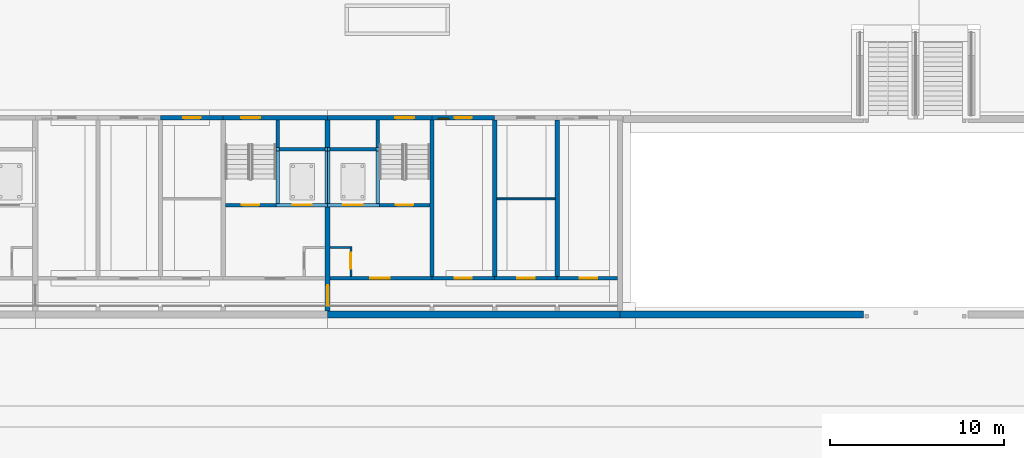
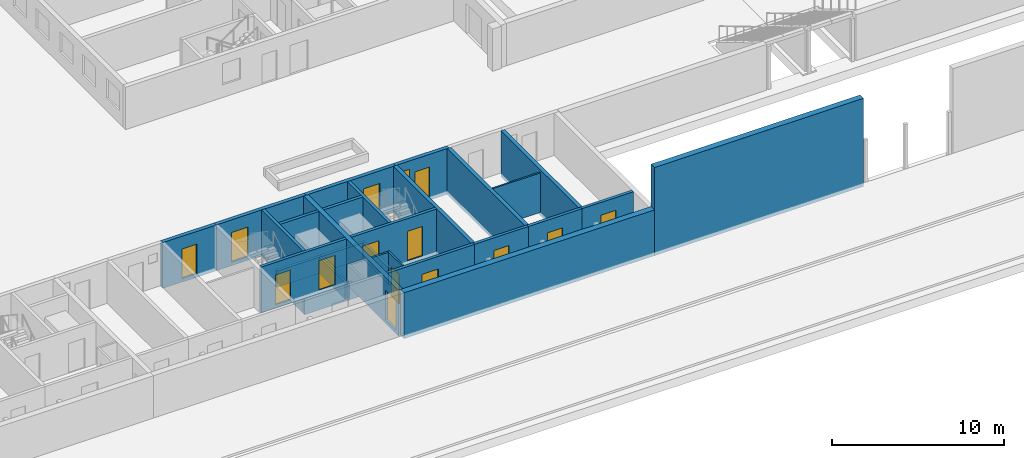
# One storey, part 43 of 112: 31 walls, 14 doors, 1 window, 15 openings.
"""IFC4 building model written with IfcOpenShell, lengths in metres."""

from ifc_helpers import new_model, si_unit, direction, frame, frame_2d, origin, place, context, subcontext, project, spatial, rectangle, extrude, material, layer, layer_set, type_object, element, fill, save


model = new_model("IFC4")

# Units and contexts
model_context = context("Model", 3, precision=1e-05, world=origin(), true_north=direction((0.0, 1.0)))
body_context = subcontext(model_context, "Body", "Model", "MODEL_VIEW")
ifc_project = project(units=[si_unit("LENGTHUNIT", "METRE"), si_unit("AREAUNIT", "SQUARE_METRE"), si_unit("VOLUMEUNIT", "CUBIC_METRE"), si_unit("PLANEANGLEUNIT", "RADIAN"), si_unit("MASSUNIT", "GRAM", prefix="KILO")], contexts=[model_context])

# Site, building, storey
site_placement = place(None, origin())
site = spatial("IfcSite", under=ifc_project, at=site_placement, CompositionType="ELEMENT")
building_placement = place(site_placement, origin())
building = spatial("IfcBuilding", under=site, at=building_placement, Name="Ridgestep Commons", CompositionType="ELEMENT")
storey_placement = place(building_placement, origin())
storey = spatial("IfcBuildingStorey", under=building, at=storey_placement, Name="L00", CompositionType="ELEMENT", Elevation=0.0)

# Walls
ifc_material_1 = material(Name="Concrete C30/37", Category="concrete")
ifc_layer_1 = layer(ifc_material_1, 0.39990234375)
ifc_layer_set_1 = layer_set([ifc_layer_1], Name="Community retaining wall 400")
wall_type_1 = type_object("IfcWallType", Name="Community retaining wall 400", PredefinedType="SOLIDWALL", material=ifc_layer_set_1)
wall_1_placement = place(storey_placement, frame((112.800048828125, 11.550048828125, -0.25), z_axis=(0.0, 0.0, 1.0), x_axis=(1.0, 0.0, 0.0)))
element("IfcWall", 1, at=wall_1_placement, inside=storey, type_object=wall_type_1, Name="Community retaining wall 400", PredefinedType="SOLIDWALL", context=body_context, shape_type="SweptSolid", body=[
    extrude(rectangle(XDim=14.0, YDim=0.39990234375, at=frame_2d((7.0, 0.0))), origin(), (0.0, 0.0, 1.0), 6.25),
])
ifc_material_2 = material(Name="Concrete C30/37", Category="concrete")
ifc_layer_2 = layer(ifc_material_2, 0.25)
ifc_layer_set_2 = layer_set([ifc_layer_2], Name="Core cross wall 250")
wall_type_2 = type_object("IfcWallType", Name="Core cross wall 250", PredefinedType="SHEAR", material=ifc_layer_set_2)
wall_2_placement = place(storey_placement, frame((102.0, 13.75, -0.25), z_axis=(0.0, 0.0, 1.0), x_axis=(0.0, 1.0, 0.0)))
element("IfcWall", 2, at=wall_2_placement, inside=storey, type_object=wall_type_2, Name="Cross wall A-00-1020", PredefinedType="SHEAR", context=body_context, shape_type="SweptSolid", body=[
    extrude(rectangle(XDim=9.0, YDim=0.25, at=frame_2d((4.5, 0.0))), origin(), (0.0, 0.0, 1.0), 3.25),
])

# Wall, opening, door
ifc_material_3 = material(Name="Concrete C30/37", Category="concrete")
ifc_layer_3 = layer(ifc_material_3, 0.199951171875)
ifc_layer_set_3 = layer_set([ifc_layer_3], Name="Core south wall 200")
wall_type_3 = type_object("IfcWallType", Name="Core south wall 200", PredefinedType="SHEAR", material=ifc_layer_set_3)
wall_3_placement = place(storey_placement, frame((96.14990234375, 13.64990234375, -0.25), z_axis=(0.0, 0.0, 1.0), x_axis=(1.0, 0.0, 0.0)))
wall_3 = element("IfcWall", 3, at=wall_3_placement, inside=storey, type_object=wall_type_3, Name="Core south wall A6C L00", PredefinedType="SHEAR", context=body_context, shape_type="SweptSolid", body=[
    extrude(rectangle(XDim=5.85009765625, YDim=0.199951171875, at=frame_2d((2.925048828125, 0.0))), origin(), (0.0, 0.0, 1.0), 3.25),
])
opening_1_placement = place(wall_3_placement, frame((2.3125, 0.0, 0.25)))
opening_1 = element("IfcOpeningElement", 4, at=opening_1_placement, cuts=wall_3, Name="Opening A6C/00/1", PredefinedType="OPENING", context=body_context, shape_type="SweptSolid", body=[
    extrude(rectangle(XDim=1.10009765625, YDim=2.10009765625, at=frame_2d((0.550048828125, 1.050048828125))), frame((0.0, 0.10986328125, 0.0), z_axis=(0.0, -1.0, 0.0), x_axis=(1.0, 0.0, 0.0)), (0.0, 0.0, 1.0), 0.219970703125),
])
ifc_material_4 = material(Name="Steel fire door", Category="steel")
door_type_1 = type_object("IfcDoorType", Name="Lobby door 1100 x 2100 FD60", OperationType="NOTDEFINED", PredefinedType="DOOR", material=ifc_material_4)
door_1_placement = place(opening_1_placement, origin())
door_1 = element("IfcDoor", 5, at=door_1_placement, inside=storey, type_object=door_type_1, Name="Lobby door A6C/00/1", OperationType="SINGLE_SWING_LEFT", OverallHeight=2.10009765625, OverallWidth=1.10009765625, PredefinedType="DOOR", context=body_context, shape_type="SweptSolid", body=[
    extrude(rectangle(XDim=1.10009765625, YDim=2.10009765625, at=frame_2d((0.550048828125, 1.050048828125))), frame((0.0, 0.02490234375, 0.0), z_axis=(0.0, -1.0, 0.0), x_axis=(1.0, 0.0, 0.0)), (0.0, 0.0, 1.0), 0.050048828125),
])
fill(opening_1, door_1)

ifc_material_5 = material(Name="Concrete C30/37", Category="concrete")
ifc_layer_4 = layer(ifc_material_5, 0.1201171875)
ifc_layer_set_4 = layer_set([ifc_layer_4], Name="Core wall 120")
wall_type_4 = type_object("IfcWallType", Name="Core wall 120", PredefinedType="SHEAR", material=ifc_layer_set_4)
wall_4_placement = place(storey_placement, frame((97.340087890625, 13.75, -0.25), z_axis=(0.0, 0.0, 1.0), x_axis=(0.0, 1.0, 0.0)))
wall_4 = element("IfcWall", 6, at=wall_4_placement, inside=storey, type_object=wall_type_4, Name="Core riser w wall A6C L00", PredefinedType="SHEAR", context=body_context, shape_type="SweptSolid", body=[
    extrude(rectangle(XDim=1.719970703125, YDim=0.1201171875, at=frame_2d((0.85986328125, 0.0))), origin(), (0.0, 0.0, 1.0), 3.25),
])
opening_2_placement = place(wall_4_placement, frame((0.449951171875, 0.0, 0.25)))
opening_2 = element("IfcOpeningElement", 7, at=opening_2_placement, cuts=wall_4, Name="Opening A6C/00/4", PredefinedType="OPENING", context=body_context, shape_type="SweptSolid", body=[
    extrude(rectangle(XDim=0.89990234375, YDim=2.10009765625, at=frame_2d((0.449951171875, 1.050048828125))), frame((0.0, 0.070068359375, 0.0), z_axis=(0.0, -1.0, 0.0), x_axis=(1.0, 0.0, 0.0)), (0.0, 0.0, 1.0), 0.14013671875),
])
ifc_material_6 = material(Name="Steel fire door", Category="steel")
door_type_2 = type_object("IfcDoorType", Name="Riser door 900 x 2100 FD60", OperationType="NOTDEFINED", PredefinedType="DOOR", material=ifc_material_6)
door_2_placement = place(opening_2_placement, origin())
door_2 = element("IfcDoor", 8, at=door_2_placement, inside=storey, type_object=door_type_2, Name="Riser door A6C/00/4", OperationType="SINGLE_SWING_RIGHT", OverallHeight=2.10009765625, OverallWidth=0.89990234375, PredefinedType="DOOR", context=body_context, shape_type="SweptSolid", body=[
    extrude(rectangle(XDim=0.89990234375, YDim=2.10009765625, at=frame_2d((0.449951171875, 1.050048828125))), frame((0.0, 0.02490234375, 0.0), z_axis=(0.0, -1.0, 0.0), x_axis=(1.0, 0.0, 0.0)), (0.0, 0.0, 1.0), 0.050048828125),
])
fill(opening_2, door_2)

# Walls
wall_5_placement = place(storey_placement, frame((96.14990234375, 15.409912109375, -0.25), z_axis=(0.0, 0.0, 1.0), x_axis=(1.0, 0.0, 0.0)))
element("IfcWall", 9, at=wall_5_placement, inside=storey, type_object=wall_type_4, Name="Core riser n wall A6C L00", PredefinedType="SHEAR", context=body_context, shape_type="SweptSolid", body=[
    extrude(rectangle(XDim=1.130126953125, YDim=0.1201171875, at=frame_2d((0.56494140625, 0.0))), origin(), (0.0, 0.0, 1.0), 3.25),
])
ifc_material_7 = material(Name="Concrete C30/37", Category="concrete")
ifc_layer_5 = layer(ifc_material_7, 0.14990234375)
ifc_layer_set_5 = layer_set([ifc_layer_5], Name="Core wall 150")
wall_type_5 = type_object("IfcWallType", Name="Core wall 150", PredefinedType="SHEAR", material=ifc_layer_set_5)
for number, where, z_axis, x_axis, name in (
    (10, (95.925048828125, 17.949951171875, -1.39990234375), (0.0, 0.0, 1.0), (0.0, 1.0, 0.0), "Lift pit wall A5C"),
    (11, (96.074951171875, 17.949951171875, -1.39990234375), (0.0, 0.0, 1.0), (0.0, 1.0, 0.0), "Lift pit wall A6C"),
):
    element("IfcWall", number, at=place(storey_placement, frame(where, z_axis=z_axis, x_axis=x_axis)), inside=storey, type_object=wall_type_5, Name=name, PredefinedType="SHEAR", context=body_context, shape_type="SweptSolid", body=[
        extrude(rectangle(XDim=3.0, YDim=0.14990234375, at=frame_2d((1.5, 0.0))), origin(), (0.0, 0.0, 1.0), 1.14990234375),
    ])

# Wall, openings, doors
ifc_material_8 = material(Name="Concrete C30/37", Category="concrete")
ifc_layer_6 = layer(ifc_material_8, 0.199951171875)
ifc_layer_set_6 = layer_set([ifc_layer_6], Name="Core wall 200")
wall_type_6 = type_object("IfcWallType", Name="Core wall 200", PredefinedType="SHEAR", material=ifc_layer_set_6)
wall_6_placement = place(storey_placement, frame((90.125, 17.85009765625, -0.25), z_axis=(0.0, 0.0, 1.0), x_axis=(1.0, 0.0, 0.0)))
wall_6 = element("IfcWall", 12, at=wall_6_placement, inside=storey, type_object=wall_type_6, Name="Core lobby wall A5C L00", PredefinedType="SHEAR", context=body_context, shape_type="SweptSolid", body=[
    extrude(rectangle(XDim=5.72509765625, YDim=0.199951171875, at=frame_2d((2.862548828125, 0.0))), origin(), (0.0, 0.0, 1.0), 3.25),
])
opening_3_placement = place(wall_6_placement, frame((0.949951171875, 0.0, 0.25)))
opening_3 = element("IfcOpeningElement", 13, at=opening_3_placement, cuts=wall_6, Name="Opening A5C/00/2", PredefinedType="OPENING", context=body_context, shape_type="SweptSolid", body=[
    extrude(rectangle(XDim=1.0, YDim=2.10009765625, at=frame_2d((0.5, 1.050048828125))), frame((0.0, 0.10986328125, 0.0), z_axis=(0.0, -1.0, 0.0), x_axis=(1.0, 0.0, 0.0)), (0.0, 0.0, 1.0), 0.219970703125),
])
opening_4_placement = place(wall_6_placement, frame((3.862548828125, 0.0, 0.25)))
opening_4 = element("IfcOpeningElement", 14, at=opening_4_placement, cuts=wall_6, Name="Opening A5C/00/3", PredefinedType="OPENING", context=body_context, shape_type="SweptSolid", body=[
    extrude(rectangle(XDim=1.10009765625, YDim=2.10009765625, at=frame_2d((0.550048828125, 1.050048828125))), frame((0.0, 0.10986328125, 0.0), z_axis=(0.0, -1.0, 0.0), x_axis=(1.0, 0.0, 0.0)), (0.0, 0.0, 1.0), 0.219970703125),
])
ifc_material_9 = material(Name="Stainless steel", Category="steel")
door_type_3 = type_object("IfcDoorType", Name="Lift landing door 1100 x 2100 FD60", OperationType="DOUBLE_DOOR_SLIDING", PredefinedType="DOOR", material=ifc_material_9)
door_3_placement = place(opening_4_placement, origin())
door_3 = element("IfcDoor", 15, at=door_3_placement, inside=storey, type_object=door_type_3, Name="Landing door LD A5C L00", OperationType="DOUBLE_DOOR_SLIDING", OverallHeight=2.10009765625, OverallWidth=1.10009765625, PredefinedType="DOOR", context=body_context, shape_type="SweptSolid", body=[
    extrude(rectangle(XDim=1.10009765625, YDim=2.10009765625, at=frame_2d((0.550048828125, 1.050048828125))), frame((0.0, 0.02490234375, 0.0), z_axis=(0.0, -1.0, 0.0), x_axis=(1.0, 0.0, 0.0)), (0.0, 0.0, 1.0), 0.050048828125),
])
fill(opening_4, door_3)
ifc_material_10 = material(Name="Steel fire door", Category="steel")
door_type_4 = type_object("IfcDoorType", Name="Stair door 1000 x 2100 FD60", OperationType="NOTDEFINED", PredefinedType="DOOR", material=ifc_material_10)
door_4_placement = place(opening_3_placement, origin())
door_4 = element("IfcDoor", 16, at=door_4_placement, inside=storey, type_object=door_type_4, Name="Stair door A5C/00/2", OperationType="SINGLE_SWING_RIGHT", OverallHeight=2.10009765625, OverallWidth=1.0, PredefinedType="DOOR", context=body_context, shape_type="SweptSolid", body=[
    extrude(rectangle(XDim=1.0, YDim=2.10009765625, at=frame_2d((0.5, 1.050048828125))), frame((0.0, 0.02490234375, 0.0), z_axis=(0.0, -1.0, 0.0), x_axis=(1.0, 0.0, 0.0)), (0.0, 0.0, 1.0), 0.050048828125),
])
fill(opening_3, door_4)

# Walls
wall_7_placement = place(storey_placement, frame((93.125, 17.949951171875, -0.25), z_axis=(0.0, 0.0, 1.0), x_axis=(0.0, 1.0, 0.0)))
element("IfcWall", 17, at=wall_7_placement, inside=storey, type_object=wall_type_6, Name="Core stair wall A5C L00", PredefinedType="SHEAR", context=body_context, shape_type="SweptSolid", body=[
    extrude(rectangle(XDim=4.800048828125, YDim=0.199951171875, at=frame_2d((2.39990234375, 0.0))), origin(), (0.0, 0.0, 1.0), 3.25),
])
wall_8_placement = place(storey_placement, frame((93.22509765625, 21.050048828125, -0.25), z_axis=(0.0, 0.0, 1.0), x_axis=(1.0, 0.0, 0.0)))
element("IfcWall", 18, at=wall_8_placement, inside=storey, type_object=wall_type_6, Name="Core duct wall A5C L00", PredefinedType="SHEAR", context=body_context, shape_type="SweptSolid", body=[
    extrude(rectangle(XDim=2.625, YDim=0.199951171875, at=frame_2d((1.3125, 0.0))), origin(), (0.0, 0.0, 1.0), 3.25),
])

# Wall, openings, doors
wall_9_placement = place(storey_placement, frame((96.14990234375, 17.85009765625, -0.25), z_axis=(0.0, 0.0, 1.0), x_axis=(1.0, 0.0, 0.0)))
wall_9 = element("IfcWall", 19, at=wall_9_placement, inside=storey, type_object=wall_type_6, Name="Core lobby wall A6C L00", PredefinedType="SHEAR", context=body_context, shape_type="SweptSolid", body=[
    extrude(rectangle(XDim=5.72509765625, YDim=0.199951171875, at=frame_2d((2.862548828125, 0.0))), origin(), (0.0, 0.0, 1.0), 3.25),
])
opening_5_placement = place(wall_9_placement, frame((3.77490234375, 0.0, 0.25)))
opening_5 = element("IfcOpeningElement", 20, at=opening_5_placement, cuts=wall_9, Name="Opening A6C/00/2", PredefinedType="OPENING", context=body_context, shape_type="SweptSolid", body=[
    extrude(rectangle(XDim=1.0, YDim=2.10009765625, at=frame_2d((0.5, 1.050048828125))), frame((0.0, 0.10986328125, 0.0), z_axis=(0.0, -1.0, 0.0), x_axis=(1.0, 0.0, 0.0)), (0.0, 0.0, 1.0), 0.219970703125),
])
opening_6_placement = place(wall_9_placement, frame((0.762451171875, 0.0, 0.25)))
opening_6 = element("IfcOpeningElement", 21, at=opening_6_placement, cuts=wall_9, Name="Opening A6C/00/3", PredefinedType="OPENING", context=body_context, shape_type="SweptSolid", body=[
    extrude(rectangle(XDim=1.10009765625, YDim=2.10009765625, at=frame_2d((0.550048828125, 1.050048828125))), frame((0.0, 0.10986328125, 0.0), z_axis=(0.0, -1.0, 0.0), x_axis=(1.0, 0.0, 0.0)), (0.0, 0.0, 1.0), 0.219970703125),
])
door_5_placement = place(opening_6_placement, origin())
door_5 = element("IfcDoor", 22, at=door_5_placement, inside=storey, type_object=door_type_3, Name="Landing door LD A6C L00", OperationType="DOUBLE_DOOR_SLIDING", OverallHeight=2.10009765625, OverallWidth=1.10009765625, PredefinedType="DOOR", context=body_context, shape_type="SweptSolid", body=[
    extrude(rectangle(XDim=1.10009765625, YDim=2.10009765625, at=frame_2d((0.550048828125, 1.050048828125))), frame((0.0, 0.02490234375, 0.0), z_axis=(0.0, -1.0, 0.0), x_axis=(1.0, 0.0, 0.0)), (0.0, 0.0, 1.0), 0.050048828125),
])
fill(opening_6, door_5)
door_6_placement = place(opening_5_placement, origin())
door_6 = element("IfcDoor", 23, at=door_6_placement, inside=storey, type_object=door_type_4, Name="Stair door A6C/00/2", OperationType="SINGLE_SWING_RIGHT", OverallHeight=2.10009765625, OverallWidth=1.0, PredefinedType="DOOR", context=body_context, shape_type="SweptSolid", body=[
    extrude(rectangle(XDim=1.0, YDim=2.10009765625, at=frame_2d((0.5, 1.050048828125))), frame((0.0, 0.02490234375, 0.0), z_axis=(0.0, -1.0, 0.0), x_axis=(1.0, 0.0, 0.0)), (0.0, 0.0, 1.0), 0.050048828125),
])
fill(opening_5, door_6)

# Walls
wall_10_placement = place(storey_placement, frame((98.875, 17.949951171875, -0.25), z_axis=(0.0, 0.0, 1.0), x_axis=(0.0, 1.0, 0.0)))
element("IfcWall", 24, at=wall_10_placement, inside=storey, type_object=wall_type_6, Name="Core stair wall A6C L00", PredefinedType="SHEAR", context=body_context, shape_type="SweptSolid", body=[
    extrude(rectangle(XDim=4.800048828125, YDim=0.199951171875, at=frame_2d((2.39990234375, 0.0))), origin(), (0.0, 0.0, 1.0), 3.25),
])
wall_11_placement = place(storey_placement, frame((96.14990234375, 21.050048828125, -0.25), z_axis=(0.0, 0.0, 1.0), x_axis=(1.0, 0.0, 0.0)))
element("IfcWall", 25, at=wall_11_placement, inside=storey, type_object=wall_type_6, Name="Core duct wall A6C L00", PredefinedType="SHEAR", context=body_context, shape_type="SweptSolid", body=[
    extrude(rectangle(XDim=2.625, YDim=0.199951171875, at=frame_2d((1.3125, 0.0))), origin(), (0.0, 0.0, 1.0), 3.25),
])
for number, where, z_axis, x_axis, name in (
    (26, (93.02490234375, 17.85009765625, -1.39990234375), (0.0, 0.0, 1.0), (1.0, 0.0, 0.0), "Lift pit wall A5C"),
    (27, (93.02490234375, 21.050048828125, -1.39990234375), (0.0, 0.0, 1.0), (1.0, 0.0, 0.0), "Lift pit wall A5C"),
):
    element("IfcWall", number, at=place(storey_placement, frame(where, z_axis=z_axis, x_axis=x_axis)), inside=storey, type_object=wall_type_6, Name=name, PredefinedType="SHEAR", context=body_context, shape_type="SweptSolid", body=[
        extrude(rectangle(XDim=2.97509765625, YDim=0.199951171875, at=frame_2d((1.487548828125, 0.0))), origin(), (0.0, 0.0, 1.0), 1.14990234375),
    ])
wall_12_placement = place(storey_placement, frame((93.125, 17.949951171875, -1.39990234375), z_axis=(0.0, 0.0, 1.0), x_axis=(0.0, 1.0, 0.0)))
element("IfcWall", 28, at=wall_12_placement, inside=storey, type_object=wall_type_6, Name="Lift pit wall A5C", PredefinedType="SHEAR", context=body_context, shape_type="SweptSolid", body=[
    extrude(rectangle(XDim=3.0, YDim=0.199951171875, at=frame_2d((1.5, 0.0))), origin(), (0.0, 0.0, 1.0), 1.14990234375),
])
for number, where, z_axis, x_axis, name in (
    (29, (96.0, 17.85009765625, -1.39990234375), (0.0, 0.0, 1.0), (1.0, 0.0, 0.0), "Lift pit wall A6C"),
    (30, (96.0, 21.050048828125, -1.39990234375), (0.0, 0.0, 1.0), (1.0, 0.0, 0.0), "Lift pit wall A6C"),
):
    element("IfcWall", number, at=place(storey_placement, frame(where, z_axis=z_axis, x_axis=x_axis)), inside=storey, type_object=wall_type_6, Name=name, PredefinedType="SHEAR", context=body_context, shape_type="SweptSolid", body=[
        extrude(rectangle(XDim=2.97509765625, YDim=0.199951171875, at=frame_2d((1.487548828125, 0.0))), origin(), (0.0, 0.0, 1.0), 1.14990234375),
    ])
wall_13_placement = place(storey_placement, frame((98.875, 17.949951171875, -1.39990234375), z_axis=(0.0, 0.0, 1.0), x_axis=(0.0, 1.0, 0.0)))
element("IfcWall", 31, at=wall_13_placement, inside=storey, type_object=wall_type_6, Name="Lift pit wall A6C", PredefinedType="SHEAR", context=body_context, shape_type="SweptSolid", body=[
    extrude(rectangle(XDim=3.0, YDim=0.199951171875, at=frame_2d((1.5, 0.0))), origin(), (0.0, 0.0, 1.0), 1.14990234375),
])
ifc_material_11 = material(Name="Precast concrete C40/50", Category="concrete")
ifc_layer_7 = layer(ifc_material_11, 0.25)
ifc_layer_set_7 = layer_set([ifc_layer_7], Name="Cross wall 250")
wall_type_7 = type_object("IfcWallType", Name="Cross wall 250", PredefinedType="SHEAR", material=ifc_layer_set_7)
for number, where, z_axis, x_axis, name in (
    (32, (105.60009765625, 13.75, -0.25), (0.0, 0.0, 1.0), (0.0, 1.0, 0.0), "Cross wall A-00-1056"),
    (33, (109.199951171875, 13.75, -0.25), (0.0, 0.0, 1.0), (0.0, 1.0, 0.0), "Cross wall A-00-1092"),
):
    element("IfcWall", number, at=place(storey_placement, frame(where, z_axis=z_axis, x_axis=x_axis)), inside=storey, type_object=wall_type_7, Name=name, PredefinedType="SHEAR", context=body_context, shape_type="SweptSolid", body=[
        extrude(rectangle(XDim=9.0, YDim=0.25, at=frame_2d((4.5, 0.0))), origin(), (0.0, 0.0, 1.0), 3.25),
    ])

# Wall, opening, door
ifc_material_12 = material(Name="Precast concrete C40/50", Category="concrete")
ifc_layer_8 = layer(ifc_material_12, 0.300048828125)
ifc_layer_set_8 = layer_set([ifc_layer_8], Name="Division wall 300")
wall_type_8 = type_object("IfcWallType", Name="Division wall 300", PredefinedType="SHEAR", material=ifc_layer_set_8)
wall_14_placement = place(storey_placement, frame((96.0, 11.75, -0.25), z_axis=(0.0, 0.0, 1.0), x_axis=(0.0, 1.0, 0.0)))
wall_14 = element("IfcWall", 34, at=wall_14_placement, inside=storey, type_object=wall_type_8, Name="Cross wall A-00-0960", PredefinedType="SHEAR", context=body_context, shape_type="SweptSolid", body=[
    extrude(rectangle(XDim=11.0, YDim=0.300048828125, at=frame_2d((5.5, 0.0))), origin(), (0.0, 0.0, 1.0), 3.25),
])
opening_7_placement = place(wall_14_placement, frame((0.300048828125, 0.0, 0.25)))
opening_7 = element("IfcOpeningElement", 35, at=opening_7_placement, cuts=wall_14, Name="Opening A/00/G0960", PredefinedType="OPENING", context=body_context, shape_type="SweptSolid", body=[
    extrude(rectangle(XDim=1.199951171875, YDim=2.10009765625, at=frame_2d((0.60009765625, 1.050048828125))), frame((0.0, 0.159912109375, 0.0), z_axis=(0.0, -1.0, 0.0), x_axis=(1.0, 0.0, 0.0)), (0.0, 0.0, 1.0), 0.320068359375),
])
ifc_material_13 = material(Name="Steel fire door", Category="steel")
door_type_5 = type_object("IfcDoorType", Name="Division fire door 1200 x 2100 EI 240", OperationType="DOUBLE_DOOR_SINGLE_SWING", PredefinedType="DOOR", material=ifc_material_13)
door_7_placement = place(opening_7_placement, origin())
door_7 = element("IfcDoor", 36, at=door_7_placement, inside=storey, type_object=door_type_5, Name="Division fire door A/00/G0960", OperationType="DOUBLE_DOOR_SINGLE_SWING", OverallHeight=2.10009765625, OverallWidth=1.199951171875, PredefinedType="DOOR", context=body_context, shape_type="SweptSolid", body=[
    extrude(rectangle(XDim=1.199951171875, YDim=2.10009765625, at=frame_2d((0.60009765625, 1.050048828125))), frame((0.0, 0.02490234375, 0.0), z_axis=(0.0, -1.0, 0.0), x_axis=(1.0, 0.0, 0.0)), (0.0, 0.0, 1.0), 0.050048828125),
])
fill(opening_7, door_7)

ifc_material_14 = material(Name="Precast concrete C40/50", Category="concrete")
ifc_layer_9 = layer(ifc_material_14, 0.25)
ifc_layer_set_9 = layer_set([ifc_layer_9], Name="North facade panel 250")
wall_type_9 = type_object("IfcWallType", Name="North facade panel 250", PredefinedType="SOLIDWALL", material=ifc_layer_set_9)
wall_15_placement = place(storey_placement, frame((86.39990234375, 22.875, -0.25), z_axis=(0.0, 0.0, 1.0), x_axis=(1.0, 0.0, 0.0)))
wall_15 = element("IfcWall", 37, at=wall_15_placement, inside=storey, type_object=wall_type_9, Name="North panel A5T3 L00", PredefinedType="SOLIDWALL", context=body_context, shape_type="SweptSolid", body=[
    extrude(rectangle(XDim=3.60009765625, YDim=0.25, at=frame_2d((1.800048828125, 0.0))), origin(), (0.0, 0.0, 1.0), 3.25),
])
opening_8_placement = place(wall_15_placement, frame((1.300048828125, 0.0, 0.25)))
opening_8 = element("IfcOpeningElement", 38, at=opening_8_placement, cuts=wall_15, Name="Opening A5-00p/6", PredefinedType="OPENING", context=body_context, shape_type="SweptSolid", body=[
    extrude(rectangle(XDim=1.0, YDim=2.10009765625, at=frame_2d((0.5, 1.050048828125))), frame((0.0, 0.135009765625, 0.0), z_axis=(0.0, -1.0, 0.0), x_axis=(1.0, 0.0, 0.0)), (0.0, 0.0, 1.0), 0.27001953125),
])
ifc_material_15 = material(Name="Steel door leaf", Category="steel")
door_type_6 = type_object("IfcDoorType", Name="Exterior door 1000 x 2100", OperationType="NOTDEFINED", PredefinedType="DOOR", material=ifc_material_15)
door_8_placement = place(opening_8_placement, origin())
door_8 = element("IfcDoor", 39, at=door_8_placement, inside=storey, type_object=door_type_6, Name="Exterior door A5-00p/6", OperationType="SINGLE_SWING_LEFT", OverallHeight=2.10009765625, OverallWidth=1.0, PredefinedType="DOOR", context=body_context, shape_type="SweptSolid", body=[
    extrude(rectangle(XDim=1.0, YDim=2.10009765625, at=frame_2d((0.5, 1.050048828125))), frame((0.0, 0.02490234375, 0.0), z_axis=(0.0, -1.0, 0.0), x_axis=(1.0, 0.0, 0.0)), (0.0, 0.0, 1.0), 0.050048828125),
])
fill(opening_8, door_8)

wall_16_placement = place(storey_placement, frame((90.0, 22.875, -0.25), z_axis=(0.0, 0.0, 1.0), x_axis=(1.0, 0.0, 0.0)))
wall_16 = element("IfcWall", 40, at=wall_16_placement, inside=storey, type_object=wall_type_9, Name="North panel A5C L00", PredefinedType="SOLIDWALL", context=body_context, shape_type="SweptSolid", body=[
    extrude(rectangle(XDim=6.0, YDim=0.25, at=frame_2d((3.0, 0.0))), origin(), (0.0, 0.0, 1.0), 3.25),
])
opening_9_placement = place(wall_16_placement, frame((1.02490234375, 0.0, 0.25)))
opening_9 = element("IfcOpeningElement", 41, at=opening_9_placement, cuts=wall_16, Name="Opening A5C/00/5", PredefinedType="OPENING", context=body_context, shape_type="SweptSolid", body=[
    extrude(rectangle(XDim=1.10009765625, YDim=2.10009765625, at=frame_2d((0.550048828125, 1.050048828125))), frame((0.0, 0.135009765625, 0.0), z_axis=(0.0, -1.0, 0.0), x_axis=(1.0, 0.0, 0.0)), (0.0, 0.0, 1.0), 0.27001953125),
])
ifc_material_16 = material(Name="Steel fire door", Category="steel")
door_type_7 = type_object("IfcDoorType", Name="Stair exit door 1100 x 2100 FD60", OperationType="NOTDEFINED", PredefinedType="DOOR", material=ifc_material_16)
door_9_placement = place(opening_9_placement, origin())
door_9 = element("IfcDoor", 42, at=door_9_placement, inside=storey, type_object=door_type_7, Name="Stair exit door A5C/00/5", OperationType="SINGLE_SWING_LEFT", OverallHeight=2.10009765625, OverallWidth=1.10009765625, PredefinedType="DOOR", context=body_context, shape_type="SweptSolid", body=[
    extrude(rectangle(XDim=1.10009765625, YDim=2.10009765625, at=frame_2d((0.550048828125, 1.050048828125))), frame((0.0, 0.02490234375, 0.0), z_axis=(0.0, -1.0, 0.0), x_axis=(1.0, 0.0, 0.0)), (0.0, 0.0, 1.0), 0.050048828125),
])
fill(opening_9, door_9)

wall_17_placement = place(storey_placement, frame((96.0, 22.875, -0.25), z_axis=(0.0, 0.0, 1.0), x_axis=(1.0, 0.0, 0.0)))
wall_17 = element("IfcWall", 43, at=wall_17_placement, inside=storey, type_object=wall_type_9, Name="North panel A6C L00", PredefinedType="SOLIDWALL", context=body_context, shape_type="SweptSolid", body=[
    extrude(rectangle(XDim=6.0, YDim=0.25, at=frame_2d((3.0, 0.0))), origin(), (0.0, 0.0, 1.0), 3.25),
])
opening_10_placement = place(wall_17_placement, frame((3.875, 0.0, 0.25)))
opening_10 = element("IfcOpeningElement", 44, at=opening_10_placement, cuts=wall_17, Name="Opening A6C/00/5", PredefinedType="OPENING", context=body_context, shape_type="SweptSolid", body=[
    extrude(rectangle(XDim=1.10009765625, YDim=2.10009765625, at=frame_2d((0.550048828125, 1.050048828125))), frame((0.0, 0.135009765625, 0.0), z_axis=(0.0, -1.0, 0.0), x_axis=(1.0, 0.0, 0.0)), (0.0, 0.0, 1.0), 0.27001953125),
])
door_10_placement = place(opening_10_placement, origin())
door_10 = element("IfcDoor", 45, at=door_10_placement, inside=storey, type_object=door_type_7, Name="Stair exit door A6C/00/5", OperationType="SINGLE_SWING_LEFT", OverallHeight=2.10009765625, OverallWidth=1.10009765625, PredefinedType="DOOR", context=body_context, shape_type="SweptSolid", body=[
    extrude(rectangle(XDim=1.10009765625, YDim=2.10009765625, at=frame_2d((0.550048828125, 1.050048828125))), frame((0.0, 0.02490234375, 0.0), z_axis=(0.0, -1.0, 0.0), x_axis=(1.0, 0.0, 0.0)), (0.0, 0.0, 1.0), 0.050048828125),
])
fill(opening_10, door_10)

# Wall, openings, door, window
wall_18_placement = place(storey_placement, frame((102.0, 22.875, -0.25), z_axis=(0.0, 0.0, 1.0), x_axis=(1.0, 0.0, 0.0)))
wall_18 = element("IfcWall", 46, at=wall_18_placement, inside=storey, type_object=wall_type_9, Name="North panel A6T3 L00", PredefinedType="SOLIDWALL", context=body_context, shape_type="SweptSolid", body=[
    extrude(rectangle(XDim=3.60009765625, YDim=0.25, at=frame_2d((1.800048828125, 0.0))), origin(), (0.0, 0.0, 1.0), 3.25),
])
opening_11_placement = place(wall_18_placement, frame((0.362548828125, 0.0, 2.050048828125)))
opening_11 = element("IfcOpeningElement", 47, at=opening_11_placement, cuts=wall_18, Name="Opening W01", PredefinedType="OPENING", context=body_context, shape_type="SweptSolid", body=[
    extrude(rectangle(XDim=0.60009765625, YDim=0.60009765625, at=frame_2d((0.300048828125, 0.300048828125))), frame((0.0, 0.135009765625, 0.0), z_axis=(0.0, -1.0, 0.0), x_axis=(1.0, 0.0, 0.0)), (0.0, 0.0, 1.0), 0.27001953125),
])
opening_12_placement = place(wall_18_placement, frame((1.300048828125, 0.0, 0.25)))
opening_12 = element("IfcOpeningElement", 48, at=opening_12_placement, cuts=wall_18, Name="Opening A6-00p/2", PredefinedType="OPENING", context=body_context, shape_type="SweptSolid", body=[
    extrude(rectangle(XDim=1.0, YDim=2.10009765625, at=frame_2d((0.5, 1.050048828125))), frame((0.0, 0.135009765625, 0.0), z_axis=(0.0, -1.0, 0.0), x_axis=(1.0, 0.0, 0.0)), (0.0, 0.0, 1.0), 0.27001953125),
])
door_11_placement = place(opening_12_placement, origin())
door_11 = element("IfcDoor", 49, at=door_11_placement, inside=storey, type_object=door_type_6, Name="Exterior door A6-00p/2", OperationType="SINGLE_SWING_LEFT", OverallHeight=2.10009765625, OverallWidth=1.0, PredefinedType="DOOR", context=body_context, shape_type="SweptSolid", body=[
    extrude(rectangle(XDim=1.0, YDim=2.10009765625, at=frame_2d((0.5, 1.050048828125))), frame((0.0, 0.02490234375, 0.0), z_axis=(0.0, -1.0, 0.0), x_axis=(1.0, 0.0, 0.0)), (0.0, 0.0, 1.0), 0.050048828125),
])
fill(opening_12, door_11)
ifc_material_17 = material(Name="Aluminium 6063-T6 and glass", Category="aluminium")
window_type = type_object("IfcWindowType", Name="Flat window 600 x 600", PartitioningType="SINGLE_PANEL", PredefinedType="WINDOW", material=ifc_material_17)
window_placement = place(opening_11_placement, origin())
window = element("IfcWindow", 50, at=window_placement, inside=storey, type_object=window_type, Name="Window A6-00p 2", OverallHeight=0.60009765625, OverallWidth=0.60009765625, PartitioningType="SINGLE_PANEL", PredefinedType="WINDOW", context=body_context, shape_type="SweptSolid", body=[
    extrude(rectangle(XDim=0.60009765625, YDim=0.60009765625, at=frame_2d((0.300048828125, 0.300048828125))), frame((0.0, -0.02490234375, 0.0), z_axis=(0.0, -1.0, 0.0), x_axis=(1.0, 0.0, 0.0)), (0.0, 0.0, 1.0), 0.06005859375),
])
fill(opening_11, window)

# Walls
ifc_material_18 = material(Name="Common brick 110 mm", Category="masonry")
ifc_layer_10 = layer(ifc_material_18, 0.110107421875)
ifc_layer_set_10 = layer_set([ifc_layer_10], Name="Partition 110")
wall_type_10 = type_object("IfcWallType", Name="Partition 110", PredefinedType="PARTITIONING", material=ifc_layer_set_10)
wall_19_placement = place(storey_placement, frame((105.72509765625, 18.205078125, 0.0), z_axis=(0.0, 0.0, 1.0), x_axis=(1.0, 0.0, 0.0)))
element("IfcWall", 51, at=wall_19_placement, inside=storey, type_object=wall_type_10, Name="Partition A6-00p", PredefinedType="PARTITIONING", context=body_context, shape_type="SweptSolid", body=[
    extrude(rectangle(XDim=3.349853515625, YDim=0.110107421875, at=frame_2d((1.6748046875, 0.0))), origin(), (0.0, 0.0, 1.0), 2.800048828125),
])
ifc_material_19 = material(Name="Concrete C30/37", Category="concrete")
ifc_layer_11 = layer(ifc_material_19, 0.39990234375)
ifc_layer_set_11 = layer_set([ifc_layer_11], Name="Plinth retaining wall 400")
wall_type_11 = type_object("IfcWallType", Name="Plinth retaining wall 400", PredefinedType="SOLIDWALL", material=ifc_layer_set_11)
wall_20_placement = place(storey_placement, frame((96.0, 11.550048828125, -0.25), z_axis=(0.0, 0.0, 1.0), x_axis=(1.0, 0.0, 0.0)))
element("IfcWall", 52, at=wall_20_placement, inside=storey, type_object=wall_type_11, Name="Plinth retaining wall A6 L00", PredefinedType="SOLIDWALL", context=body_context, shape_type="SweptSolid", body=[
    extrude(rectangle(XDim=16.800048828125, YDim=0.39990234375, at=frame_2d((8.39990234375, 0.0))), origin(), (0.0, 0.0, 1.0), 3.25),
])

# Wall, opening, door
ifc_material_20 = material(Name="Precast concrete C40/50", Category="concrete")
ifc_layer_12 = layer(ifc_material_20, 0.199951171875)
ifc_layer_set_12 = layer_set([ifc_layer_12], Name="South facade panel 200")
wall_type_12 = type_object("IfcWallType", Name="South facade panel 200", PredefinedType="SOLIDWALL", material=ifc_layer_set_12)
wall_21_placement = place(storey_placement, frame((102.0, 13.64990234375, -0.25), z_axis=(0.0, 0.0, 1.0), x_axis=(1.0, 0.0, 0.0)))
wall_21 = element("IfcWall", 53, at=wall_21_placement, inside=storey, type_object=wall_type_12, Name="South panel A6T3 L00", PredefinedType="SOLIDWALL", context=body_context, shape_type="SweptSolid", body=[
    extrude(rectangle(XDim=3.60009765625, YDim=0.199951171875, at=frame_2d((1.800048828125, 0.0))), origin(), (0.0, 0.0, 1.0), 3.25),
])
opening_13_placement = place(wall_21_placement, frame((1.300048828125, 0.0, 0.25)))
opening_13 = element("IfcOpeningElement", 54, at=opening_13_placement, cuts=wall_21, Name="Opening A6-00p/1", PredefinedType="OPENING", context=body_context, shape_type="SweptSolid", body=[
    extrude(rectangle(XDim=1.0, YDim=2.10009765625, at=frame_2d((0.5, 1.050048828125))), frame((0.0, 0.10986328125, 0.0), z_axis=(0.0, -1.0, 0.0), x_axis=(1.0, 0.0, 0.0)), (0.0, 0.0, 1.0), 0.219970703125),
])
ifc_material_21 = material(Name="Steel door leaf", Category="steel")
door_type_8 = type_object("IfcDoorType", Name="Store door 1000 x 2100", OperationType="NOTDEFINED", PredefinedType="DOOR", material=ifc_material_21)
door_12_placement = place(opening_13_placement, origin())
door_12 = element("IfcDoor", 55, at=door_12_placement, inside=storey, type_object=door_type_8, Name="Store door A6-00p/1", OperationType="SINGLE_SWING_RIGHT", OverallHeight=2.10009765625, OverallWidth=1.0, PredefinedType="DOOR", context=body_context, shape_type="SweptSolid", body=[
    extrude(rectangle(XDim=1.0, YDim=2.10009765625, at=frame_2d((0.5, 1.050048828125))), frame((0.0, 0.02490234375, 0.0), z_axis=(0.0, -1.0, 0.0), x_axis=(1.0, 0.0, 0.0)), (0.0, 0.0, 1.0), 0.050048828125),
])
fill(opening_13, door_12)

wall_22_placement = place(storey_placement, frame((105.60009765625, 13.64990234375, -0.25), z_axis=(0.0, 0.0, 1.0), x_axis=(1.0, 0.0, 0.0)))
wall_22 = element("IfcWall", 56, at=wall_22_placement, inside=storey, type_object=wall_type_12, Name="South panel A6T2 L00", PredefinedType="SOLIDWALL", context=body_context, shape_type="SweptSolid", body=[
    extrude(rectangle(XDim=3.599853515625, YDim=0.199951171875, at=frame_2d((1.7998046875, 0.0))), origin(), (0.0, 0.0, 1.0), 3.25),
])
opening_14_placement = place(wall_22_placement, frame((1.300048828125, 0.0, 0.25)))
opening_14 = element("IfcOpeningElement", 57, at=opening_14_placement, cuts=wall_22, Name="Opening A6-00p/3", PredefinedType="OPENING", context=body_context, shape_type="SweptSolid", body=[
    extrude(rectangle(XDim=1.0, YDim=2.10009765625, at=frame_2d((0.5, 1.050048828125))), frame((0.0, 0.10986328125, 0.0), z_axis=(0.0, -1.0, 0.0), x_axis=(1.0, 0.0, 0.0)), (0.0, 0.0, 1.0), 0.219970703125),
])
door_13_placement = place(opening_14_placement, origin())
door_13 = element("IfcDoor", 58, at=door_13_placement, inside=storey, type_object=door_type_8, Name="Store door A6-00p/3", OperationType="SINGLE_SWING_RIGHT", OverallHeight=2.10009765625, OverallWidth=1.0, PredefinedType="DOOR", context=body_context, shape_type="SweptSolid", body=[
    extrude(rectangle(XDim=1.0, YDim=2.10009765625, at=frame_2d((0.5, 1.050048828125))), frame((0.0, 0.02490234375, 0.0), z_axis=(0.0, -1.0, 0.0), x_axis=(1.0, 0.0, 0.0)), (0.0, 0.0, 1.0), 0.050048828125),
])
fill(opening_14, door_13)

wall_23_placement = place(storey_placement, frame((109.199951171875, 13.64990234375, -0.25), z_axis=(0.0, 0.0, 1.0), x_axis=(1.0, 0.0, 0.0)))
wall_23 = element("IfcWall", 59, at=wall_23_placement, inside=storey, type_object=wall_type_12, Name="South panel A6T1 L00", PredefinedType="SOLIDWALL", context=body_context, shape_type="SweptSolid", body=[
    extrude(rectangle(XDim=3.449951171875, YDim=0.199951171875, at=frame_2d((1.72509765625, 0.0))), origin(), (0.0, 0.0, 1.0), 3.25),
])
opening_15_placement = place(wall_23_placement, frame((1.28759765625, 0.0, 0.25)))
opening_15 = element("IfcOpeningElement", 60, at=opening_15_placement, cuts=wall_23, Name="Opening A6-00p/5", PredefinedType="OPENING", context=body_context, shape_type="SweptSolid", body=[
    extrude(rectangle(XDim=1.0, YDim=2.10009765625, at=frame_2d((0.5, 1.050048828125))), frame((0.0, 0.10986328125, 0.0), z_axis=(0.0, -1.0, 0.0), x_axis=(1.0, 0.0, 0.0)), (0.0, 0.0, 1.0), 0.219970703125),
])
door_14_placement = place(opening_15_placement, origin())
door_14 = element("IfcDoor", 61, at=door_14_placement, inside=storey, type_object=door_type_8, Name="Store door A6-00p/5", OperationType="SINGLE_SWING_RIGHT", OverallHeight=2.10009765625, OverallWidth=1.0, PredefinedType="DOOR", context=body_context, shape_type="SweptSolid", body=[
    extrude(rectangle(XDim=1.0, YDim=2.10009765625, at=frame_2d((0.5, 1.050048828125))), frame((0.0, 0.02490234375, 0.0), z_axis=(0.0, -1.0, 0.0), x_axis=(1.0, 0.0, 0.0)), (0.0, 0.0, 1.0), 0.050048828125),
])
fill(opening_15, door_14)

save(model, "model.ifc")
